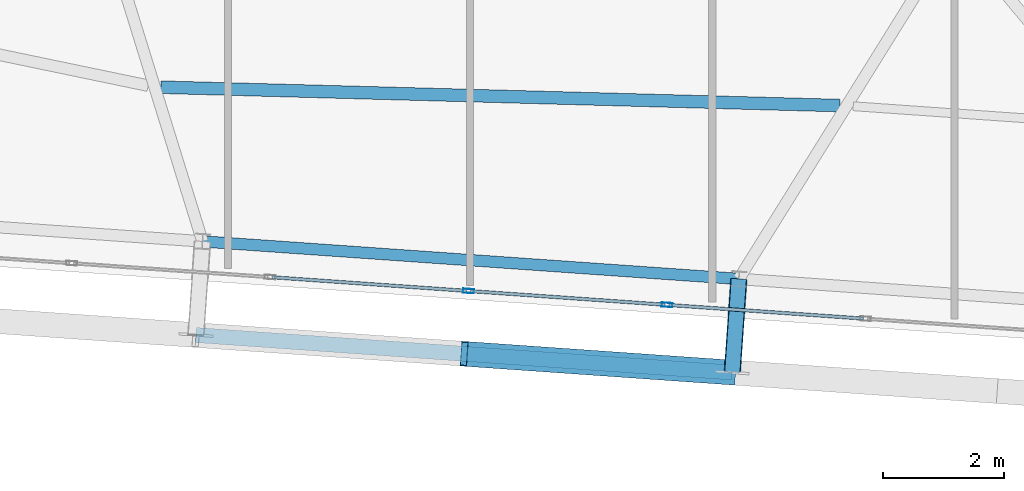
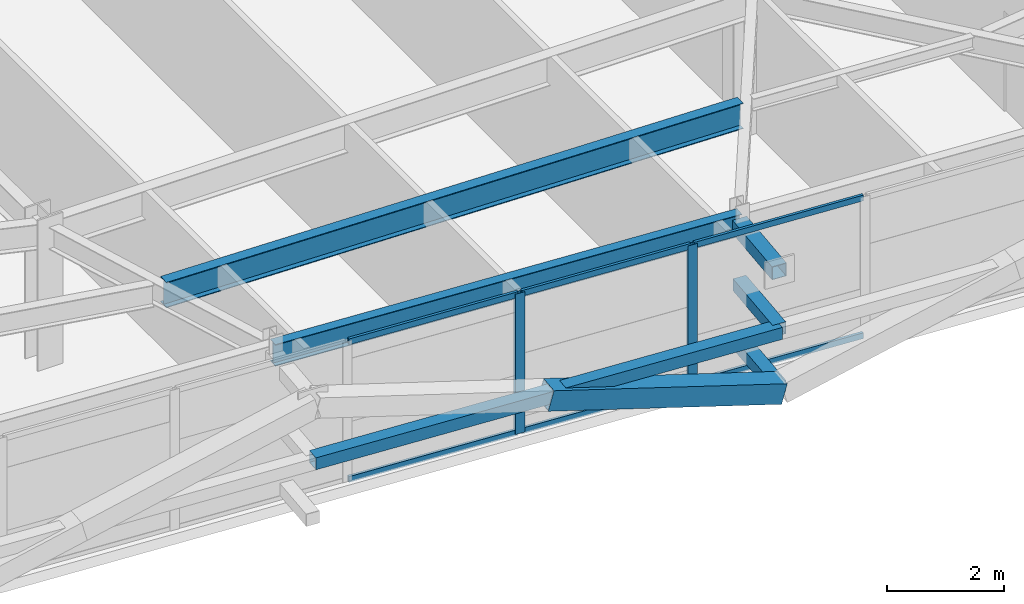
# One storey, part 12 of 47: 13 members, 2 beams, 1 element without a shape of its own.
"""IFC4 building model written with IfcOpenShell, lengths in metres."""

from ifc_helpers import new_model, si_unit, direction, frame, origin, origin_2d, place, context, subcontext, project, spatial, hollow_rectangle, i_section, extrude, source, transform, mapped, material, layer, layer_set, material_profile, profile_set, type_object, element, aggregate, save


model = new_model("IFC4")

# Units and contexts
model_context = context("Model", 3, precision=1e-05, world=origin(), true_north=direction((0.0, 1.0)))
body_context = subcontext(model_context, "Body", "Model", "MODEL_VIEW")
ifc_project = project(units=[si_unit("LENGTHUNIT", "METRE"), si_unit("AREAUNIT", "SQUARE_METRE"), si_unit("VOLUMEUNIT", "CUBIC_METRE"), si_unit("PLANEANGLEUNIT", "RADIAN"), si_unit("MASSUNIT", "GRAM", prefix="KILO")], contexts=[model_context])

# Site, building, storey
site_placement = place(None, origin())
site = spatial("IfcSite", under=ifc_project, at=site_placement, CompositionType="ELEMENT")
building_placement = place(site_placement, origin())
building = spatial("IfcBuilding", under=site, at=building_placement, Name="Taldren Reach Tower", CompositionType="ELEMENT")
storey_placement = place(building_placement, frame((0.0, 0.0, 142.449951171875)))
storey = spatial("IfcBuildingStorey", under=building, at=storey_placement, Name="L43", CompositionType="ELEMENT", Elevation=142.449951171875)

# Members
ifc_material_1 = material(Name="Steel Gr 450 (C450L0)", Category="steel")
ifc_material_profile_1 = material_profile(ifc_material_1, hollow_rectangle(XDim=0.27490234375, YDim=0.27490234375, WallThickness=0.00927734375, at=origin_2d()), Name="275x275x9.3SHS")
ifc_profile_set_1 = profile_set([ifc_material_profile_1], Name="Steel Gr 450 (C450L0)")
member_type_1 = type_object("IfcMemberType", Name="MB-TIE273", PredefinedType="STRUT", material=ifc_profile_set_1)
shared_shape_1 = source(origin(), body_context, "Body", "SweptSolid", [
    extrude(hollow_rectangle(XDim=0.27490234375, YDim=0.27490234375, WallThickness=0.00927734375, at=origin_2d()), origin(), (0.0, 0.0, 1.0), 1.550048828125),
])
member_1_placement = place(storey_placement, frame((38.438720703125, 3.480224609375, 2.650146484375), z_axis=(-0.06976957191, -0.99756313426, 0.0), x_axis=(0.99756313426, -0.06976957191, 0.0)))
element("IfcMember", 1, at=member_1_placement, inside=storey, type_object=member_type_1, Name="Exoskeleton diaphragm tie strut B3-S4 L43", PredefinedType="STRUT", context=body_context, shape_type="MappedRepresentation", body=[
    mapped(shared_shape_1, transform((0.0, 0.0, 0.0), scale=1.0)),
])
ifc_material_2 = material(Name="Steel Gr 350 (C350L0)", Category="steel")
ifc_material_profile_2 = material_profile(ifc_material_2, hollow_rectangle(XDim=0.25, YDim=0.25, WallThickness=0.010009765625, at=origin_2d()), Name="250x250x10.0SHS")
ifc_profile_set_2 = profile_set([ifc_material_profile_2], Name="Steel Gr 350 (C350L0)")
member_type_2 = type_object("IfcMemberType", Name="MB-POST250", PredefinedType="POST", material=ifc_profile_set_2)
shared_shape_2 = source(origin(), body_context, "Body", "SweptSolid", [
    extrude(hollow_rectangle(XDim=0.25, YDim=0.25, WallThickness=0.010009765625, at=origin_2d()), origin(), (0.0, 0.0, 1.0), 1.550048828125),
])
for number, where, z_axis, x_axis, name in (
    (2, (38.438720703125, 3.480224609375, 0.219970703125), (-0.06976957191, -0.99756313426, 0.0), (0.99756313426, -0.06976957191, 0.0), "Exoskeleton base diaphragm tie strut B3-S4 L43"),
    (3, (38.438720703125, 3.480224609375, 1.43505859375), (-0.06976957191, -0.99756313426, 0.0), (0.99756313426, -0.06976957191, 0.0), "Exoskeleton mid-tier diaphragm tie B3-S4 L43"),
):
    element("IfcMember", number, at=place(storey_placement, frame(where, z_axis=z_axis, x_axis=x_axis)), inside=storey, type_object=member_type_2, Name=name, PredefinedType="POST", context=body_context, shape_type="MappedRepresentation", body=[
        mapped(shared_shape_2, transform((0.0, 0.0, 0.0), scale=1.0)),
    ])

# Beams
ifc_material_3 = material(Name="Steel Gr 350 (350PLUS)", Category="steel")
ifc_material_profile_3 = material_profile(ifc_material_3, i_section(OverallWidth=0.18994140625, OverallDepth=0.4541015625, WebThickness=0.008544921875, FlangeThickness=0.0126953125, at=origin_2d()), Name="460UB67.1")
ifc_profile_set_3 = profile_set([ifc_material_profile_3], Name="Steel Gr 350 (350PLUS)")
beam_type_1 = type_object("IfcBeamType", Name="SP-UB460B", PredefinedType="SPANDREL", material=ifc_profile_set_3)
shared_shape_3 = source(origin(), body_context, "Body", "SweptSolid", [
    extrude(i_section(OverallWidth=0.18994140625, OverallDepth=0.4541015625, WebThickness=0.008544921875, FlangeThickness=0.0126953125, at=origin_2d()), origin(), (0.0, 0.0, 1.0), 8.880126953125),
])
beam_1_placement = place(storey_placement, frame((29.580322265625, 4.099609375, 2.703125), z_axis=(0.997564479639, -0.069750333063, 0.0), x_axis=(0.069750333063, 0.997564479639, 0.0)))
element("IfcBeam", 4, at=beam_1_placement, inside=storey, type_object=beam_type_1, Name="Perimeter spandrel B3 S3-S4 L43", PredefinedType="SPANDREL", context=body_context, shape_type="MappedRepresentation", body=[
    mapped(shared_shape_3, transform((0.0, 0.0, 0.0), scale=1.0)),
])
ifc_material_profile_4 = material_profile(ifc_material_3, i_section(OverallWidth=0.208984375, OverallDepth=0.532958984375, WebThickness=0.01025390625, FlangeThickness=0.015625, at=origin_2d()), Name="530UB92.4")
ifc_profile_set_4 = profile_set([ifc_material_profile_4], Name="Steel Gr 350 (350PLUS)")
beam_type_2 = type_object("IfcBeamType", Name="BM-UB530A", PredefinedType="BEAM", material=ifc_profile_set_4)
shared_shape_4 = source(origin(), body_context, "Body", "SweptSolid", [
    extrude(i_section(OverallWidth=0.208984375, OverallDepth=0.532958984375, WebThickness=0.01025390625, FlangeThickness=0.015625, at=origin_2d()), origin(), (0.0, 0.0, 1.0), 11.221923828125),
])
beam_2_placement = place(storey_placement, frame((28.890869140625, 6.64697265625, 2.66357421875), z_axis=(0.999633109536, -0.027085906272, 0.0), x_axis=(0.027085906272, 0.999633109536, 0.0)))
element("IfcBeam", 5, at=beam_2_placement, inside=storey, type_object=beam_type_2, Name="Secondary floor beam B3 J3 L43", PredefinedType="BEAM", context=body_context, shape_type="MappedRepresentation", body=[
    mapped(shared_shape_4, transform((0.0, 0.0, 0.0), scale=1.0)),
])

# Members
shared_shape_5 = source(origin(), body_context, "Body", "SweptSolid", [
    extrude(hollow_rectangle(XDim=0.25, YDim=0.25, WallThickness=0.010009765625, at=origin_2d()), origin(), (0.0, 0.0, 1.0), 8.880126953125),
])
member_2_placement = place(storey_placement, frame((29.47216796875, 2.55322265625, 1.43505859375), z_axis=(0.997564479639, -0.069750333063, 0.0), x_axis=(0.069750333063, 0.997564479639, 0.0)))
element("IfcMember", 6, at=member_2_placement, inside=storey, type_object=member_type_2, Name="Exoskeleton mid-height ring chord B3-S3 L43", PredefinedType="POST", context=body_context, shape_type="MappedRepresentation", body=[
    mapped(shared_shape_5, transform((0.0, 0.0, 0.0), scale=1.0)),
])
ifc_material_profile_5 = material_profile(ifc_material_1, hollow_rectangle(XDim=0.409912109375, YDim=0.409912109375, WallThickness=0.01611328125, at=origin_2d()), Name="410x410x16.0SHS")
ifc_profile_set_5 = profile_set([ifc_material_profile_5], Name="Steel Gr 450 (C450L0)")
member_type_3 = type_object("IfcMemberType", Name="MB-EXO406", PredefinedType="BRACE", material=ifc_profile_set_5)
shared_shape_6 = source(origin(), body_context, "Body", "SweptSolid", [
    extrude(hollow_rectangle(XDim=0.409912109375, YDim=0.409912109375, WallThickness=0.01611328125, at=origin_2d()), origin(), (0.0, 0.0, 1.0), 4.603271484375),
])
member_3_placement = place(storey_placement, frame((38.33056640625, 1.933837890625, 0.219970703125), z_axis=(-0.962182351074, 0.067302910567, 0.263961060594), x_axis=(-0.06977769246, -0.997562566276, 0.0)))
element("IfcMember", 7, at=member_3_placement, inside=storey, type_object=member_type_3, Name="Exoskeleton Diagrid Brace B3-S3 L43", PredefinedType="BRACE", context=body_context, shape_type="MappedRepresentation", body=[
    mapped(shared_shape_6, transform((0.0, 0.0, 0.0), scale=1.0)),
])

# Curtain wall, members
ifc_material_4 = material(Name="Aluminium and Low-E Glass Unitised System", Category="aluminium")
ifc_layer = layer(ifc_material_4, 0.159912109375)
ifc_layer_set = layer_set([ifc_layer], Name="Aluminium and Low-E Glass Unitised System")
curtain_wall_type = type_object("IfcCurtainWallType", Name="CW-SYS-4", PredefinedType="NOTDEFINED", material=ifc_layer_set)
curtain_wall_placement = place(storey_placement, origin())
curtain_wall = element("IfcCurtainWall", 8, at=curtain_wall_placement, inside=storey, type_object=curtain_wall_type, Name="Unitised curtain wall CW-L43-S", PredefinedType="NOTDEFINED")
ifc_material_5 = material(Name="Anodised Aluminium 6063-T6", Category="aluminium")
ifc_material_profile_6 = material_profile(ifc_material_5, hollow_rectangle(XDim=0.070068359375, YDim=0.179931640625, WallThickness=0.00390625, at=origin_2d()), Name="ALU-180x70x4RHS")
ifc_profile_set_6 = profile_set([ifc_material_profile_6], Name="Anodised Aluminium 6063-T6")
member_type_4 = type_object("IfcMemberType", Name="CW-MUL-180", PredefinedType="MULLION", material=ifc_profile_set_6)
shared_shape_7 = source(origin(), body_context, "Body", "SweptSolid", [
    extrude(hollow_rectangle(XDim=0.070068359375, YDim=0.179931640625, WallThickness=0.00390625, at=origin_2d()), origin(), (0.0, 0.0, 1.0), 2.929931640625),
])
member_4_placement = place(storey_placement, frame((33.973876953125, 3.281005859375, 0.0), z_axis=(0.0, 0.0, 1.0), x_axis=(0.06975651593, 0.99756404731, 0.0)))
member_4 = element("IfcMember", 9, at=member_4_placement, type_object=member_type_4, Name="CW-4 mullion 8", PredefinedType="MULLION", context=body_context, shape_type="MappedRepresentation", body=[
    mapped(shared_shape_7, transform((0.0, 0.0, 0.0), scale=1.0)),
])
member_5_placement = place(storey_placement, frame((37.251708984375, 3.0517578125, 0.0), z_axis=(0.0, 0.0, 1.0), x_axis=(0.06975651593, 0.99756404731, 0.0)))
member_5 = element("IfcMember", 10, at=member_5_placement, type_object=member_type_4, Name="CW-4 mullion 9", PredefinedType="MULLION", context=body_context, shape_type="MappedRepresentation", body=[
    mapped(shared_shape_7, transform((0.0, 0.0, 0.0), scale=1.0)),
])
ifc_material_profile_7 = material_profile(ifc_material_5, hollow_rectangle(XDim=0.054931640625, YDim=0.1201171875, WallThickness=0.0029296875, at=origin_2d()), Name="ALU-120x55x3RHS")
ifc_profile_set_7 = profile_set([ifc_material_profile_7], Name="Anodised Aluminium 6063-T6")
member_type_5 = type_object("IfcMemberType", Name="CW-TRN-135", PredefinedType="USERDEFINED", material=ifc_profile_set_7)
shared_shape_8 = source(origin(), body_context, "Body", "SweptSolid", [
    extrude(hollow_rectangle(XDim=0.054931640625, YDim=0.1201171875, WallThickness=0.0029296875, at=origin_2d()), origin(), (0.0, 0.0, 1.0), 3.2158203125),
])
member_6_placement = place(storey_placement, frame((34.0087890625, 3.278564453125, 0.027587890625), z_axis=(0.997563195991, -0.069768689278, 0.0), x_axis=(0.069768689278, 0.997563195991, 0.0)))
member_6 = element("IfcMember", 11, at=member_6_placement, type_object=member_type_5, Name="CW-4 transom 8.1", ObjectType="TRANSOM", PredefinedType="USERDEFINED", context=body_context, shape_type="MappedRepresentation", body=[
    mapped(shared_shape_8, transform((0.0, 0.0, 0.0), scale=1.0)),
])
member_7_placement = place(storey_placement, frame((34.0087890625, 3.278564453125, 2.902587890625), z_axis=(0.997563195991, -0.069768689278, 0.0), x_axis=(0.069768689278, 0.997563195991, 0.0)))
member_7 = element("IfcMember", 12, at=member_7_placement, type_object=member_type_5, Name="CW-4 transom 8.2", ObjectType="TRANSOM", PredefinedType="USERDEFINED", context=body_context, shape_type="MappedRepresentation", body=[
    mapped(shared_shape_8, transform((0.0, 0.0, 0.0), scale=1.0)),
])
shared_shape_9 = source(origin(), body_context, "Body", "SweptSolid", [
    extrude(hollow_rectangle(XDim=0.054931640625, YDim=0.1201171875, WallThickness=0.0029296875, at=origin_2d()), origin(), (0.0, 0.0, 1.0), 3.215576171875),
])
member_8_placement = place(storey_placement, frame((30.731201171875, 3.5078125, 0.027587890625), z_axis=(0.997562826405, -0.069773973473, 0.0), x_axis=(0.069773973473, 0.997562826405, 0.0)))
member_8 = element("IfcMember", 13, at=member_8_placement, type_object=member_type_5, Name="CW-4 transom 7.1", ObjectType="TRANSOM", PredefinedType="USERDEFINED", context=body_context, shape_type="MappedRepresentation", body=[
    mapped(shared_shape_9, transform((0.0, 0.0, 0.0), scale=1.0)),
])
member_9_placement = place(storey_placement, frame((30.731201171875, 3.5078125, 2.902587890625), z_axis=(0.997562826405, -0.069773973473, 0.0), x_axis=(0.069773973473, 0.997562826405, 0.0)))
member_9 = element("IfcMember", 14, at=member_9_placement, type_object=member_type_5, Name="CW-4 transom 7.2", ObjectType="TRANSOM", PredefinedType="USERDEFINED", context=body_context, shape_type="MappedRepresentation", body=[
    mapped(shared_shape_9, transform((0.0, 0.0, 0.0), scale=1.0)),
])
member_10_placement = place(storey_placement, frame((37.28662109375, 3.04931640625, 0.027587890625), z_axis=(0.997568108166, -0.0696984187, 0.0), x_axis=(0.0696984187, 0.997568108166, 0.0)))
member_10 = element("IfcMember", 15, at=member_10_placement, type_object=member_type_5, Name="CW-4 transom 9.1", ObjectType="TRANSOM", PredefinedType="USERDEFINED", context=body_context, shape_type="MappedRepresentation", body=[
    mapped(shared_shape_9, transform((0.0, 0.0, 0.0), scale=1.0)),
])
member_11_placement = place(storey_placement, frame((37.28662109375, 3.04931640625, 2.902587890625), z_axis=(0.997568108166, -0.0696984187, 0.0), x_axis=(0.0696984187, 0.997568108166, 0.0)))
member_11 = element("IfcMember", 16, at=member_11_placement, type_object=member_type_5, Name="CW-4 transom 9.2", ObjectType="TRANSOM", PredefinedType="USERDEFINED", context=body_context, shape_type="MappedRepresentation", body=[
    mapped(shared_shape_9, transform((0.0, 0.0, 0.0), scale=1.0)),
])
aggregate(curtain_wall, [member_4, member_5, member_8, member_9, member_6, member_7, member_10, member_11])

save(model, "model.ifc")
